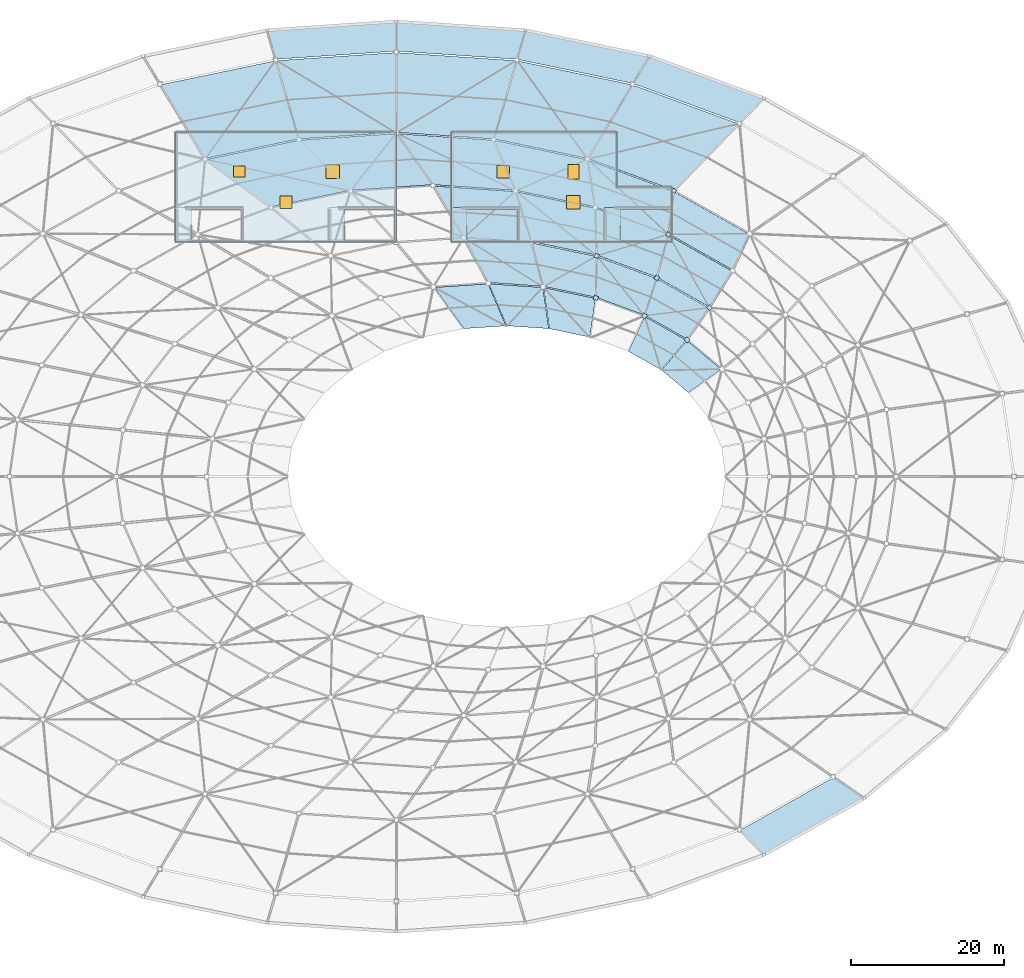
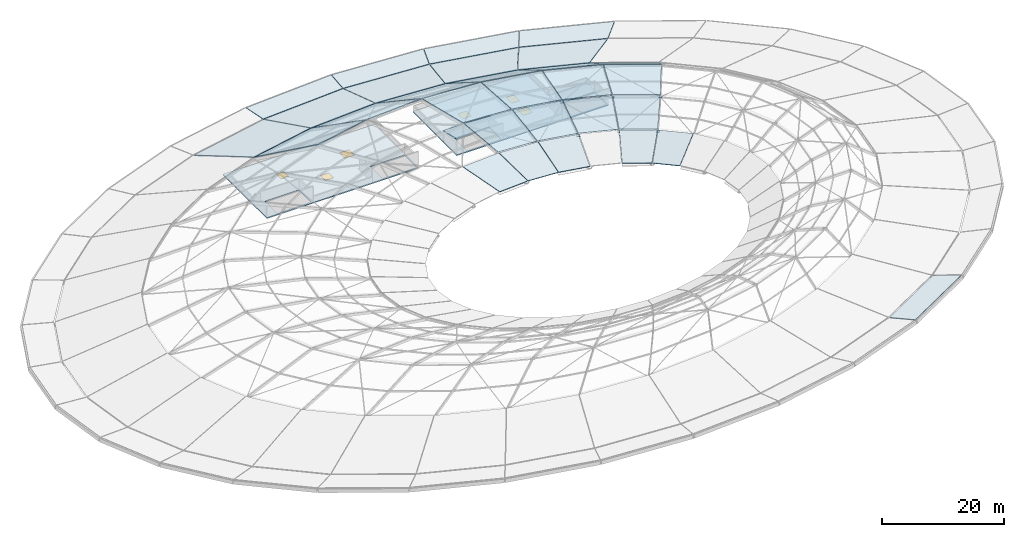
"""IFC4 building model written with IfcOpenShell, lengths in metres."""

from ifc_helpers import new_model, si_unit, direction, frame, origin, origin_2d, place, context, subcontext, project, spatial, polyline, rectangle, outline, extrude, material, layer, layer_set, type_object, element, fill, save


model = new_model("IFC4")

# Units and contexts
model_context = context("Model", 3, precision=1e-05, world=origin(), true_north=direction((0.0, 1.0)))
body_context = subcontext(model_context, "Body", "Model", "MODEL_VIEW")
ifc_project = project(units=[si_unit("LENGTHUNIT", "METRE"), si_unit("AREAUNIT", "SQUARE_METRE"), si_unit("VOLUMEUNIT", "CUBIC_METRE"), si_unit("PLANEANGLEUNIT", "RADIAN"), si_unit("MASSUNIT", "GRAM", prefix="KILO")], contexts=[model_context])

# Site, building, storey
site_placement = place(None, origin())
site = spatial("IfcSite", under=ifc_project, at=site_placement, CompositionType="ELEMENT")
building_placement = place(site_placement, origin())
building = spatial("IfcBuilding", under=site, at=building_placement, Name="Namkhue Oval Health Centre", CompositionType="ELEMENT")
storey_1_placement = place(building_placement, frame((0.0, 0.0, 26.39990234375)))
storey_1 = spatial("IfcBuildingStorey", under=building, at=storey_1_placement, Name="RF", CompositionType="ELEMENT", Elevation=26.39990234375)

# Slab, openings
ifc_material_1 = material(Name="Reinforced concrete C30/37 (TCVN B35)", Category="concrete")
ifc_layer_1 = layer(ifc_material_1, 0.22509765625)
ifc_layer_set_1 = layer_set([ifc_layer_1], Name="Reinforced concrete C30/37 (TCVN B35)")
slab_type_1 = type_object("IfcSlabType", Name="FLAT ROOF SLAB 225", PredefinedType="ROOF", material=ifc_layer_set_1)
slab_1_placement = place(storey_1_placement, frame((0.0, 0.0, -0.224853515625)))
slab_1 = element("IfcSlab", 1, at=slab_1_placement, inside=storey_1, type_object=slab_type_1, Name="Volume V2 RF Main Roof Slab", PredefinedType="ROOF", context=body_context, shape_type="SweptSolid", body=[
    extrude(outline(polyline([(57.60009765625, 90.0), (86.39990234375, 90.0), (86.39990234375, 104.39990234375), (57.60009765625, 104.39990234375), (57.60009765625, 90.0)]), holes=[polyline([(59.655029296875, 90.25), (66.14990234375, 90.25), (66.14990234375, 94.25), (59.655029296875, 94.25), (59.655029296875, 90.25)]), polyline([(79.655029296875, 90.25), (86.14990234375, 90.25), (86.14990234375, 94.25), (79.655029296875, 94.25), (79.655029296875, 90.25)])]), origin(), (0.0, 0.0, 1.0), 0.224853515625),
])
opening_1_placement = place(slab_1_placement, frame((65.89990234375, 99.199951171875, 0.0)))
opening_1 = element("IfcOpeningElement", 2, at=opening_1_placement, cuts=slab_1, Name="Opening SK-03", PredefinedType="OPENING", context=body_context, shape_type="SweptSolid", body=[
    extrude(rectangle(XDim=1.449951171875, YDim=1.449951171875, at=origin_2d()), frame((0.0, 0.0, -0.010009765625)), (0.0, 0.0, 1.0), 0.244873046875),
])
opening_2_placement = place(slab_1_placement, frame((72.0, 95.199951171875, 0.0)))
opening_2 = element("IfcOpeningElement", 3, at=opening_2_placement, cuts=slab_1, Name="Opening SK-04", PredefinedType="OPENING", context=body_context, shape_type="SweptSolid", body=[
    extrude(rectangle(XDim=1.60009765625, YDim=1.60009765625, at=origin_2d()), frame((0.0, 0.0, -0.010009765625)), (0.0, 0.0, 1.0), 0.244873046875),
])
opening_3_placement = place(slab_1_placement, frame((78.10009765625, 99.199951171875, 0.0)))
opening_3 = element("IfcOpeningElement", 4, at=opening_3_placement, cuts=slab_1, Name="Opening SK-05", PredefinedType="OPENING", context=body_context, shape_type="SweptSolid", body=[
    extrude(rectangle(XDim=1.75, YDim=1.75, at=origin_2d()), frame((0.0, 0.0, -0.010009765625)), (0.0, 0.0, 1.0), 0.244873046875),
])

# Storey
storey_2_placement = place(building_placement, frame((0.0, 0.0, 22.199951171875)))
storey_2 = spatial("IfcBuildingStorey", under=building, at=storey_2_placement, Name="L05", CompositionType="ELEMENT", Elevation=22.199951171875)

# Window
ifc_material_2 = material(Name="Laminated solar-control double-glazed skylight", Category="glass")
window_type_1 = type_object("IfcWindowType", Name="ROOF SKYLIGHT 1450X1450", PartitioningType="SINGLE_PANEL", PredefinedType="SKYLIGHT", material=ifc_material_2)
window_1_placement = place(opening_1_placement, frame((0.0, 0.0, 0.1748046875)))
window_1 = element("IfcWindow", 5, at=window_1_placement, inside=storey_2, type_object=window_type_1, Name="Volume V2 RF Roof Skylight 1", OverallHeight=1.449951171875, OverallWidth=1.449951171875, PartitioningType="SINGLE_PANEL", PredefinedType="SKYLIGHT", context=body_context, shape_type="SweptSolid", body=[
    extrude(rectangle(XDim=1.449951171875, YDim=1.449951171875, at=origin_2d()), origin(), (0.0, 0.0, 1.0), 0.050048828125),
])

fill(opening_1, window_1)

window_type_2 = type_object("IfcWindowType", Name="ROOF SKYLIGHT 1600X1600", PartitioningType="SINGLE_PANEL", PredefinedType="SKYLIGHT", material=ifc_material_2)
window_2_placement = place(opening_2_placement, frame((0.0, 0.0, 0.1748046875)))
window_2 = element("IfcWindow", 6, at=window_2_placement, inside=storey_2, type_object=window_type_2, Name="Volume V2 RF Roof Skylight 2", OverallHeight=1.60009765625, OverallWidth=1.60009765625, PartitioningType="SINGLE_PANEL", PredefinedType="SKYLIGHT", context=body_context, shape_type="SweptSolid", body=[
    extrude(rectangle(XDim=1.60009765625, YDim=1.60009765625, at=origin_2d()), origin(), (0.0, 0.0, 1.0), 0.050048828125),
])

fill(opening_2, window_2)

window_type_3 = type_object("IfcWindowType", Name="ROOF SKYLIGHT 1750X1750", PartitioningType="SINGLE_PANEL", PredefinedType="SKYLIGHT", material=ifc_material_2)
window_3_placement = place(opening_3_placement, frame((0.0, 0.0, 0.1748046875)))
window_3 = element("IfcWindow", 7, at=window_3_placement, inside=storey_2, type_object=window_type_3, Name="Volume V2 RF Roof Skylight 3", OverallHeight=1.75, OverallWidth=1.75, PartitioningType="SINGLE_PANEL", PredefinedType="SKYLIGHT", context=body_context, shape_type="SweptSolid", body=[
    extrude(rectangle(XDim=1.75, YDim=1.75, at=origin_2d()), origin(), (0.0, 0.0, 1.0), 0.050048828125),
])

fill(opening_3, window_3)

# Slab, openings, windows
ifc_layer_2 = layer(ifc_material_1, 0.22998046875)
ifc_layer_set_2 = layer_set([ifc_layer_2], Name="Reinforced concrete C30/37 (TCVN B35)")
slab_type_2 = type_object("IfcSlabType", Name="FLAT ROOF SLAB 230", PredefinedType="ROOF", material=ifc_layer_set_2)
slab_2_placement = place(storey_1_placement, frame((0.0, 0.0, -0.22998046875)))
slab_2 = element("IfcSlab", 8, at=slab_2_placement, inside=storey_1, type_object=slab_type_2, Name="Volume V3 RF Main Roof Slab", PredefinedType="ROOF", context=body_context, shape_type="SweptSolid", body=[
    extrude(outline(polyline([(93.60009765625, 90.0), (122.39990234375, 90.0), (122.39990234375, 97.199951171875), (115.199951171875, 97.199951171875), (115.199951171875, 104.39990234375), (93.60009765625, 104.39990234375), (93.60009765625, 90.0)]), holes=[polyline([(95.655029296875, 90.25), (102.14990234375, 90.25), (102.14990234375, 94.25), (95.655029296875, 94.25), (95.655029296875, 90.25)]), polyline([(115.655029296875, 90.25), (122.14990234375, 90.25), (122.14990234375, 94.25), (115.655029296875, 94.25), (115.655029296875, 90.25)])]), origin(), (0.0, 0.0, 1.0), 0.22998046875),
])
opening_4_placement = place(slab_2_placement, frame((100.3740234375, 99.199951171875, 0.0)))
opening_4 = element("IfcOpeningElement", 9, at=opening_4_placement, cuts=slab_2, Name="Opening SK-04", PredefinedType="OPENING", context=body_context, shape_type="SweptSolid", body=[
    extrude(rectangle(XDim=1.60009765625, YDim=1.60009765625, at=origin_2d()), frame((0.0, 0.0, -0.010009765625)), (0.0, 0.0, 1.0), 0.25),
])
opening_5_placement = place(slab_2_placement, frame((109.52197265625, 95.199951171875, 0.0)))
opening_5 = element("IfcOpeningElement", 10, at=opening_5_placement, cuts=slab_2, Name="Opening SK-05", PredefinedType="OPENING", context=body_context, shape_type="SweptSolid", body=[
    extrude(rectangle(XDim=1.75, YDim=1.75, at=origin_2d()), frame((0.0, 0.0, -0.010009765625)), (0.0, 0.0, 1.0), 0.25),
])
opening_6_placement = place(slab_2_placement, frame((109.52197265625, 99.199951171875, 0.0)))
opening_6 = element("IfcOpeningElement", 11, at=opening_6_placement, cuts=slab_2, Name="Opening SK-06", PredefinedType="OPENING", context=body_context, shape_type="SweptSolid", body=[
    extrude(rectangle(XDim=1.39990234375, YDim=1.89990234375, at=origin_2d()), frame((0.0, 0.0, -0.010009765625)), (0.0, 0.0, 1.0), 0.25),
])
window_type_4 = type_object("IfcWindowType", Name="ROOF SKYLIGHT 1400X1900", PartitioningType="SINGLE_PANEL", PredefinedType="SKYLIGHT", material=ifc_material_2)
window_4_placement = place(opening_6_placement, frame((0.0, 0.0, 0.179931640625)))
window_4 = element("IfcWindow", 12, at=window_4_placement, inside=storey_2, type_object=window_type_4, Name="Volume V3 RF Roof Skylight 3", OverallHeight=1.89990234375, OverallWidth=1.39990234375, PartitioningType="SINGLE_PANEL", PredefinedType="SKYLIGHT", context=body_context, shape_type="SweptSolid", body=[
    extrude(rectangle(XDim=1.39990234375, YDim=1.89990234375, at=origin_2d()), origin(), (0.0, 0.0, 1.0), 0.050048828125),
])
fill(opening_6, window_4)
window_5_placement = place(opening_4_placement, frame((0.0, 0.0, 0.179931640625)))
window_5 = element("IfcWindow", 13, at=window_5_placement, inside=storey_2, type_object=window_type_2, Name="Volume V3 RF Roof Skylight 1", OverallHeight=1.60009765625, OverallWidth=1.60009765625, PartitioningType="SINGLE_PANEL", PredefinedType="SKYLIGHT", context=body_context, shape_type="SweptSolid", body=[
    extrude(rectangle(XDim=1.60009765625, YDim=1.60009765625, at=origin_2d()), origin(), (0.0, 0.0, 1.0), 0.050048828125),
])
fill(opening_4, window_5)
window_6_placement = place(opening_5_placement, frame((0.0, 0.0, 0.179931640625)))
window_6 = element("IfcWindow", 14, at=window_6_placement, inside=storey_2, type_object=window_type_3, Name="Volume V3 RF Roof Skylight 2", OverallHeight=1.75, OverallWidth=1.75, PartitioningType="SINGLE_PANEL", PredefinedType="SKYLIGHT", context=body_context, shape_type="SweptSolid", body=[
    extrude(rectangle(XDim=1.75, YDim=1.75, at=origin_2d()), origin(), (0.0, 0.0, 1.0), 0.050048828125),
])
fill(opening_5, window_6)

# Plates
ifc_material_3 = material(Name="Structural steel EN 10025-2 S355JR (TCVN 5575:2024)", Category="steel")
ifc_layer_3 = layer(ifc_material_3, 0.02197265625)
ifc_layer_set_3 = layer_set([ifc_layer_3], Name="Structural steel EN 10025-2 S355JR (TCVN 5575:2024)")
plate_type_1 = type_object("IfcPlateType", Name="GRIDSHELL GUSSET PLATE 520X520X22", PredefinedType="USERDEFINED", material=ifc_layer_set_3)
plate_1_placement = place(storey_1_placement, frame((122.640869140625, 96.68896484375, 3.80908203125), z_axis=(0.0, 0.0, 1.0), x_axis=(0.55557023302, 0.831469612303, 0.0)))
element("IfcPlate", 15, at=plate_1_placement, inside=storey_1, type_object=plate_type_1, Name="Gridshell Node Gusset Plate K2-6", ObjectType="GUSSET_PLATE", PredefinedType="USERDEFINED", context=body_context, shape_type="SweptSolid", body=[
    extrude(rectangle(XDim=0.52001953125, YDim=0.52001953125, at=origin_2d()), origin(), (0.0, 0.0, 1.0), 0.02197265625),
])
ifc_layer_4 = layer(ifc_material_3, 0.02197265625)
ifc_layer_set_4 = layer_set([ifc_layer_4], Name="Structural steel EN 10025-2 S355JR (TCVN 5575:2024)")
plate_type_2 = type_object("IfcPlateType", Name="GRIDSHELL GUSSET PLATE 540X540X22", PredefinedType="USERDEFINED", material=ifc_layer_set_4)
plate_2_placement = place(storey_1_placement, frame((121.9208984375, 91.009033203125, 7.209228515625), z_axis=(0.0, 0.0, 1.0), x_axis=(0.55557023302, 0.831469612303, 0.0)))
element("IfcPlate", 16, at=plate_2_placement, inside=storey_1, type_object=plate_type_2, Name="Gridshell Node Gusset Plate K3-6", ObjectType="GUSSET_PLATE", PredefinedType="USERDEFINED", context=body_context, shape_type="SweptSolid", body=[
    extrude(rectangle(XDim=0.5400390625, YDim=0.5400390625, at=origin_2d()), origin(), (0.0, 0.0, 1.0), 0.02197265625),
])
ifc_layer_5 = layer(ifc_material_3, 0.02392578125)
ifc_layer_set_5 = layer_set([ifc_layer_5], Name="Structural steel EN 10025-2 S355JR (TCVN 5575:2024)")
plate_type_3 = type_object("IfcPlateType", Name="GRIDSHELL GUSSET PLATE 560X560X24", PredefinedType="USERDEFINED", material=ifc_layer_set_5)
for number, where, z_axis, x_axis, name in (
    (17, (127.2744140625, 81.451171875, 5.008056640625), (0.0, 0.0, 1.0), (0.707106781187, 0.707106781187, 0.0), "Gridshell Node Gusset Plate K4-5"),
    (18, (120.400634765625, 85.329345703125, 5.008056640625), (0.0, 0.0, 1.0), (0.55557023302, 0.831469612303, 0.0), "Gridshell Node Gusset Plate K4-6"),
    (19, (112.55859375, 88.211181640625, 5.008056640625), (0.0, 0.0, 1.0), (0.382683432365, 0.923879532511, 0.0), "Gridshell Node Gusset Plate K4-7"),
):
    element("IfcPlate", number, at=place(storey_1_placement, frame(where, z_axis=z_axis, x_axis=x_axis)), inside=storey_1, type_object=plate_type_3, Name=name, ObjectType="GUSSET_PLATE", PredefinedType="USERDEFINED", context=body_context, shape_type="SweptSolid", body=[
        extrude(rectangle(XDim=0.56005859375, YDim=0.56005859375, at=origin_2d()), origin(), (0.0, 0.0, 1.0), 0.02392578125),
    ])
ifc_layer_6 = layer(ifc_material_3, 0.02392578125)
ifc_layer_set_6 = layer_set([ifc_layer_6], Name="Structural steel EN 10025-2 S355JR (TCVN 5575:2024)")
plate_type_4 = type_object("IfcPlateType", Name="GRIDSHELL GUSSET PLATE 580X580X24", PredefinedType="USERDEFINED", material=ifc_layer_set_6)
for number, where, z_axis, x_axis, name in (
    (20, (124.364990234375, 77.2509765625, 1.608154296875), (0.0, 0.0, 1.0), (0.707106781187, 0.707106781187, 0.0), "Gridshell Node Gusset Plate K5-5"),
    (21, (118.800537109375, 80.390380859375, 1.608154296875), (0.0, 0.0, 1.0), (0.55557023302, 0.831469612303, 0.0), "Gridshell Node Gusset Plate K5-6"),
    (22, (112.4521484375, 82.723388671875, 1.608154296875), (0.0, 0.0, 1.0), (0.382683432365, 0.923879532511, 0.0), "Gridshell Node Gusset Plate K5-7"),
):
    element("IfcPlate", number, at=place(storey_1_placement, frame(where, z_axis=z_axis, x_axis=x_axis)), inside=storey_1, type_object=plate_type_4, Name=name, ObjectType="GUSSET_PLATE", PredefinedType="USERDEFINED", context=body_context, shape_type="SweptSolid", body=[
        extrude(rectangle(XDim=0.580078125, YDim=0.580078125, at=origin_2d()), origin(), (0.0, 0.0, 1.0), 0.02392578125),
    ])

# Slabs
ifc_layer_7 = layer(ifc_material_1, 0.159912109375)
ifc_layer_set_7 = layer_set([ifc_layer_7], Name="Reinforced concrete C30/37 (TCVN B35)")
slab_type_3 = type_object("IfcSlabType", Name="GRIDSHELL ROOF PANEL 160", PredefinedType="ROOF", material=ifc_layer_set_7)
slab_3_placement = place(storey_1_placement, frame((134.289794921875, 108.73486328125, 1.093505859375), z_axis=(-0.032737529904, -0.089086259011, 0.995485757101), x_axis=(-0.938632372636, 0.344919221033, -9.46579e-07)))
element("IfcSlab", 23, at=slab_3_placement, inside=storey_1, type_object=slab_type_3, Name="Gridshell Planar Roof Panel K0-6", PredefinedType="ROOF", context=body_context, shape_type="SweptSolid", body=[
    extrude(outline(polyline([(0.0, 0.0), (15.80278685563517, -8.881784197001252e-16), (16.575198042851994, 4.033216473326345), (1.7882588948533538, 4.033521554586905), (0.0, 0.0)])), origin(), (0.0, 0.0, -1.0), 0.159912109375),
])
slab_4_placement = place(storey_1_placement, frame((119.371337890625, 114.206298828125, 1.09326171875), z_axis=(-0.020162579076, -0.096679350829, 0.995111337252), x_axis=(-0.97893925893, 0.204151726234, -6.87216e-07)))
element("IfcSlab", 24, at=slab_4_placement, inside=storey_1, type_object=slab_type_3, Name="Gridshell Planar Roof Panel K0-7", PredefinedType="ROOF", context=body_context, shape_type="SweptSolid", body=[
    extrude(outline(polyline([(0.0, 0.0), (16.44572414326599, 0.0), (16.739197177073102, 3.871151208074418), (1.3481097029547753, 3.87137274388681), (0.0, 0.0)])), origin(), (0.0, 0.0, -1.0), 0.159912109375),
])
slab_5_placement = place(storey_1_placement, frame((103.1875, 117.573486328125, 1.093017578125), z_axis=(-0.006804900221, -0.100488821262, 0.994914916028), x_axis=(-0.997714776227, 0.067566450978, 3.25168e-07)))
element("IfcSlab", 25, at=slab_5_placement, inside=storey_1, type_object=slab_type_3, Name="Gridshell Planar Roof Panel K0-8", PredefinedType="ROOF", context=body_context, shape_type="SweptSolid", body=[
    extrude(outline(polyline([(0.0, 0.0), (16.78396061186959, 0.0), (16.528524332096065, 3.7911560438240985), (0.819781866987667, 3.7910511423014657), (0.0, 0.0)])), origin(), (0.0, 0.0, -1.0), 0.159912109375),
])
slab_6_placement = place(storey_1_placement, frame((86.35791015625, 118.70751953125, 1.093017578125), z_axis=(0.006805001738, -0.100488806798, 0.994914916794), x_axis=(-0.997714709797, -0.067567431901, -3.21913e-07)))
element("IfcSlab", 26, at=slab_6_placement, inside=storey_1, type_object=slab_type_3, Name="Gridshell Planar Roof Panel K0-9", PredefinedType="ROOF", context=body_context, shape_type="SweptSolid", body=[
    extrude(outline(polyline([(0.0, 0.0), (16.783717029169217, 2.220446049250313e-16), (15.963938869234498, 3.7910519439176356), (0.25543998692965253, 3.7911557940457308), (0.0, 0.0)])), origin(), (0.0, 0.0, -1.0), 0.159912109375),
])
slab_7_placement = place(storey_1_placement, frame((134.37451171875, 10.098388671875, 1.093994140625), z_axis=(-0.044082287911, 0.078130329397, 0.995968073545), x_axis=(0.870932540998, 0.491402593634, -7.5051e-07)))
element("IfcSlab", 27, at=slab_7_placement, inside=storey_1, type_object=slab_type_3, Name="Gridshell Planar Roof Panel K0-28", PredefinedType="ROOF", context=body_context, shape_type="SweptSolid", body=[
    extrude(outline(polyline([(0.0, 0.0), (14.922605270966258, -8.881784197001252e-16), (12.839016178315983, 4.2780769677775), (-1.1216710330718682, 4.27831860840635), (0.0, 0.0)])), origin(), (0.0, 0.0, -1.0), 0.159912109375),
])
ifc_layer_8 = layer(ifc_material_1, 0.1650390625)
ifc_layer_set_8 = layer_set([ifc_layer_8], Name="Reinforced concrete C30/37 (TCVN B35)")
slab_type_4 = type_object("IfcSlabType", Name="GRIDSHELL ROOF PANEL 165", PredefinedType="ROOF", material=ifc_layer_set_8)
slab_8_placement = place(storey_1_placement, frame((131.0927734375, 105.445068359375, 0.73388671875), z_axis=(0.102714186374, 0.279510060392, 0.954632872919), x_axis=(-0.938629998864, 0.344925680737, 4.38688e-07)))
element("IfcSlab", 28, at=slab_8_placement, inside=storey_1, type_object=slab_type_4, Name="Gridshell Planar Roof Panel K1-6", PredefinedType="ROOF", context=body_context, shape_type="SweptSolid", body=[
    extrude(outline(polyline([(0.0, 0.0), (14.742906242601615, 0.0), (16.868784747348503, 11.573042045665932), (4.9204115358375375, 11.573081366463834), (0.0, 0.0)])), origin(), (0.0, 0.0, -1.0), 0.1650390625),
])
slab_9_placement = place(storey_1_placement, frame((117.16943359375, 110.55126953125, 0.73486328125), z_axis=(0.063020948362, 0.302186410439, 0.951163357901), x_axis=(-0.978939238781, 0.204151822846, 1.863703e-06)))
element("IfcSlab", 29, at=slab_9_placement, inside=storey_1, type_object=slab_type_4, Name="Gridshell Planar Roof Panel K1-7", PredefinedType="ROOF", context=body_context, shape_type="SweptSolid", body=[
    extrude(outline(polyline([(0.0, 0.0), (15.343156185400561, 4.440892098500626e-16), (16.151788719691453, 11.15788790667842), (3.7142736106411633, 11.158055632461412), (0.0, 0.0)])), origin(), (0.0, 0.0, -1.0), 0.1650390625),
])
slab_10_placement = place(storey_1_placement, frame((102.06494140625, 113.693603515625, 0.7353515625), z_axis=(0.021238444788, 0.313652795829, 0.949300190736), x_axis=(-0.997715412288, 0.067557057976, 4.88345e-07)))
element("IfcSlab", 30, at=slab_10_placement, inside=storey_1, type_object=slab_type_4, Name="Gridshell Planar Roof Panel K1-8", PredefinedType="ROOF", context=body_context, shape_type="SweptSolid", body=[
    extrude(outline(polyline([(0.0, 0.0), (15.658820653163021, 0.0), (14.954767614543213, 10.953146711024324), (2.2599908033204117, 10.953190755627272), (0.0, 0.0)])), origin(), (0.0, 0.0, -1.0), 0.1650390625),
])
slab_11_placement = place(storey_1_placement, frame((86.35791015625, 114.75146484375, 0.7353515625), z_axis=(-0.021238808043, 0.313652746515, 0.949300198903), x_axis=(-0.997715340394, -0.067558119743, -5.21215e-07)))
element("IfcSlab", 31, at=slab_11_placement, inside=storey_1, type_object=slab_type_4, Name="Gridshell Planar Roof Panel K1-9", PredefinedType="ROOF", context=body_context, shape_type="SweptSolid", body=[
    extrude(outline(polyline([(0.0, 0.0), (15.658577070304423, 2.220446049250313e-16), (13.398597219195707, 10.953193015409944), (0.7040639907798898, 10.953146007028797), (0.0, 0.0)])), origin(), (0.0, 0.0, -1.0), 0.1650390625),
])
slab_12_placement = place(storey_1_placement, frame((70.650634765625, 113.68359375, 0.73486328125), z_axis=(-0.063020948362, 0.302186410439, 0.951163357901), x_axis=(-0.978939238781, -0.204151822846, -1.863703e-06)))
element("IfcSlab", 32, at=slab_12_placement, inside=storey_1, type_object=slab_type_4, Name="Gridshell Planar Roof Panel K1-10", PredefinedType="ROOF", context=body_context, shape_type="SweptSolid", body=[
    extrude(outline(polyline([(0.0, 0.0), (15.343156185400561, -4.440892098500626e-16), (11.628882574759398, 11.158055632461412), (-0.8086325342908919, 11.157887906678418), (0.0, 0.0)])), origin(), (0.0, 0.0, -1.0), 0.1650390625),
])
ifc_layer_9 = layer(ifc_material_1, 0.169921875)
ifc_layer_set_9 = layer_set([ifc_layer_9], Name="Reinforced concrete C30/37 (TCVN B35)")
slab_type_5 = type_object("IfcSlabType", Name="GRIDSHELL ROOF PANEL 170", PredefinedType="ROOF", material=ifc_layer_set_9)
slab_13_placement = place(storey_1_placement, frame((132.45751953125, 91.063232421875, 4.2607421875), z_axis=(0.265310414489, 0.470222179844, 0.841725302903), x_axis=(-0.870932391499, 0.491402858595, -1.294447e-06)))
element("IfcSlab", 33, at=slab_13_placement, inside=storey_1, type_object=slab_type_5, Name="Gridshell Planar Roof Panel K2-5", PredefinedType="ROOF", context=body_context, shape_type="SweptSolid", body=[
    extrude(outline(polyline([(0.0, 0.0), (11.238634156316959, 8.881784197001252e-16), (9.136793707431496, 6.117261258411062), (-0.42268354284715115, 6.117211394065264), (0.0, 0.0)])), origin(), (0.0, 0.0, -1.0), 0.169921875),
])
slab_14_placement = place(storey_1_placement, frame((122.5908203125, 96.62548828125, 4.259033203125), z_axis=(0.179477001929, 0.488404502807, 0.853960799695), x_axis=(-0.938631159134, 0.344922523331, 1.162634e-06)))
element("IfcSlab", 34, at=slab_14_placement, inside=storey_1, type_object=slab_type_5, Name="Gridshell Planar Roof Panel K2-6", PredefinedType="ROOF", context=body_context, shape_type="SweptSolid", body=[
    extrude(outline(polyline([(0.0, 0.0), (11.900481886872914, 8.881784197001252e-16), (8.872950911897238, 6.353843443368844), (-1.2479290183227527, 6.353892647590324), (0.0, 0.0)])), origin(), (0.0, 0.0, -1.0), 0.169921875),
])
slab_15_placement = place(storey_1_placement, frame((111.3330078125, 100.759521484375, 4.256591796875), z_axis=(0.100983987309, 0.484195001107, 0.869113016362), x_axis=(-0.978935455654, 0.204169962683, -1.460888e-06)))
element("IfcSlab", 35, at=slab_15_placement, inside=storey_1, type_object=slab_type_5, Name="Gridshell Planar Roof Panel K2-7", PredefinedType="ROOF", context=body_context, shape_type="SweptSolid", body=[
    extrude(outline(polyline([(0.0, 0.0), (12.382164648762764, 0.0), (8.322148245901477, 6.694210677373977), (-2.205755483694665, 6.694143010327258), (0.0, 0.0)])), origin(), (0.0, 0.0, -1.0), 0.169921875),
])
slab_16_placement = place(storey_1_placement, frame((99.115234375, 103.30615234375, 4.25390625), z_axis=(0.031343611739, 0.462922899035, 0.885844211785), x_axis=(-0.997715353297, 0.067557929143, -2.381628e-06)))
element("IfcSlab", 36, at=slab_16_placement, inside=storey_1, type_object=slab_type_5, Name="Gridshell Planar Roof Panel K2-8", PredefinedType="ROOF", context=body_context, shape_type="SweptSolid", body=[
    extrude(outline(polyline([(0.0, 0.0), (12.633600706944938, -1.1102230246251565e-16), (7.51200013134159, 7.147730883479876), (-3.2263922445281277, 7.14761091480539), (0.0, 0.0)])), origin(), (0.0, 0.0, -1.0), 0.169921875),
])
slab_17_placement = place(storey_1_placement, frame((86.40673828125, 104.166015625, 4.250732421875), z_axis=(-0.029045525112, 0.4289797176, 0.902847029878), x_axis=(-0.997715823967, -0.067550977811, -1.30768e-06)))
element("IfcSlab", 37, at=slab_17_placement, inside=storey_1, type_object=slab_type_5, Name="Gridshell Planar Roof Panel K2-9", PredefinedType="ROOF", context=body_context, shape_type="SweptSolid", body=[
    extrude(outline(polyline([(0.0, 0.0), (12.631635550896899, 0.0), (6.503748687017122, 7.728039076135589), (-4.229268372299139, 7.7279680152301005), (0.0, 0.0)])), origin(), (0.0, 0.0, -1.0), 0.169921875),
])
slab_18_placement = place(storey_1_placement, frame((73.696044921875, 103.305419921875, 4.24755859375), z_axis=(-0.080413204078, 0.385580914451, 0.91916324721), x_axis=(-0.978937756153, -0.204158932154, 2.89598e-07)))
element("IfcSlab", 38, at=slab_18_placement, inside=storey_1, type_object=slab_type_5, Name="Gridshell Planar Roof Panel K2-10", PredefinedType="ROOF", context=body_context, shape_type="SweptSolid", body=[
    extrude(outline(polyline([(0.0, 0.0), (12.376896462438847, 0.0), (5.393038575096859, 8.452135522959173), (-5.119638282246544, 8.452152352532647), (0.0, 0.0)])), origin(), (0.0, 0.0, -1.0), 0.169921875),
])
ifc_layer_10 = layer(ifc_material_1, 0.175048828125)
ifc_layer_set_10 = layer_set([ifc_layer_10], Name="Reinforced concrete C30/37 (TCVN B35)")
slab_type_6 = type_object("IfcSlabType", Name="GRIDSHELL ROOF PANEL 175", PredefinedType="ROOF", material=ifc_layer_set_10)
slab_19_placement = place(storey_1_placement, frame((130.218994140625, 86.230712890625, 7.584716796875), z_axis=(-0.177120247478, -0.313918087292, 0.932782853833), x_axis=(-0.87092771397, 0.491411148655, 4.19779e-06)))
element("IfcSlab", 39, at=slab_19_placement, inside=storey_1, type_object=slab_type_6, Name="Gridshell Planar Roof Panel K3-5", PredefinedType="ROOF", context=body_context, shape_type="SweptSolid", body=[
    extrude(outline(polyline([(0.0, 0.0), (9.51050980726129, -4.440892098500626e-16), (8.086536940117751, 5.924133848578663), (0.2538809483504548, 5.923931864339726), (0.0, 0.0)])), origin(), (0.0, 0.0, -1.0), 0.175048828125),
])
slab_20_placement = place(storey_1_placement, frame((121.859375, 90.94189453125, 7.58544921875), z_axis=(-0.121321447854, -0.330128615089, 0.93610694036), x_axis=(-0.938625647464, 0.344937521762, -1.790598e-06)))
element("IfcSlab", 40, at=slab_20_placement, inside=storey_1, type_object=slab_type_6, Name="Gridshell Planar Roof Panel K3-6", PredefinedType="ROOF", context=body_context, shape_type="SweptSolid", body=[
    extrude(outline(polyline([(0.0, 0.0), (10.071758607368126, 4.440892098500626e-16), (7.777157988571256, 6.075094205474903), (-0.5170845563177824, 6.075187707548725), (0.0, 0.0)])), origin(), (0.0, 0.0, -1.0), 0.175048828125),
])
slab_21_placement = place(storey_1_placement, frame((112.321533203125, 94.44384765625, 7.586669921875), z_axis=(-0.068884426187, -0.330295197795, 0.941360726896), x_axis=(-0.978935809283, 0.204168267118, 2.5141e-06)))
element("IfcSlab", 41, at=slab_21_placement, inside=storey_1, type_object=slab_type_6, Name="Gridshell Planar Roof Panel K3-7", PredefinedType="ROOF", context=body_context, shape_type="SweptSolid", body=[
    extrude(outline(polyline([(0.0, 0.0), (10.479783284883998, 2.220446049250313e-16), (7.187230998112343, 6.340150402116963), (-1.4410200372893431, 6.340008021388163), (0.0, 0.0)])), origin(), (0.0, 0.0, -1.0), 0.175048828125),
])
slab_22_placement = place(storey_1_placement, frame((101.969970703125, 96.601318359375, 7.58837890625), z_axis=(-0.021520228947, -0.317871299406, 0.947889612117), x_axis=(-0.997716498191, 0.067541018895, -1.831464e-06)))
element("IfcSlab", 42, at=slab_22_placement, inside=storey_1, type_object=slab_type_6, Name="Gridshell Planar Roof Panel K3-8", PredefinedType="ROOF", context=body_context, shape_type="SweptSolid", body=[
    extrude(outline(polyline([(0.0, 0.0), (10.692384384487788, -1.1102230246251565e-16), (6.3561932581222935, 6.724964301260945), (-2.4439387744621657, 6.725076353892924), (0.0, 0.0)])), origin(), (0.0, 0.0, -1.0), 0.175048828125),
])
ifc_layer_11 = layer(ifc_material_1, 0.179931640625)
ifc_layer_set_11 = layer_set([ifc_layer_11], Name="Reinforced concrete C30/37 (TCVN B35)")
slab_type_7 = type_object("IfcSlabType", Name="GRIDSHELL ROOF PANEL 180", PredefinedType="ROOF", material=ifc_layer_set_11)
slab_23_placement = place(storey_1_placement, frame((127.19482421875, 81.41015625, 5.3720703125), z_axis=(-0.273026287692, -0.483916817765, 0.831433196182), x_axis=(-0.870937659102, 0.491393522471, 5.669474e-06)))
element("IfcSlab", 43, at=slab_23_placement, inside=storey_1, type_object=slab_type_7, Name="Gridshell Planar Roof Panel K4-5", PredefinedType="ROOF", context=body_context, shape_type="SweptSolid", body=[
    extrude(outline(polyline([(0.0, 0.0), (7.785324243981862, 0.0), (6.782471934220426, 5.939417568678019), (0.45603010075177747, 5.9392735752870145), (0.0, 0.0)])), origin(), (0.0, 0.0, -1.0), 0.179931640625),
])
slab_24_placement = place(storey_1_placement, frame((120.337890625, 85.272216796875, 5.372802734375), z_axis=(-0.189065933448, -0.514507881399, 0.836382515831), x_axis=(-0.938631755363, 0.344920900821, 1.474134e-06)))
element("IfcSlab", 44, at=slab_24_placement, inside=storey_1, type_object=slab_type_7, Name="Gridshell Planar Roof Panel K4-6", PredefinedType="ROOF", context=body_context, shape_type="SweptSolid", body=[
    extrude(outline(polyline([(0.0, 0.0), (8.246037850297384, 4.440892098500626e-16), (6.5050167853470775, 6.022624898642333), (-0.19599300016887042, 6.022584701418643), (0.0, 0.0)])), origin(), (0.0, 0.0, -1.0), 0.179931640625),
])
slab_25_placement = place(storey_1_placement, frame((112.515380859375, 88.142333984375, 5.3740234375), z_axis=(-0.108866426278, -0.522008068736, 0.845964347596), x_axis=(-0.978936163597, 0.204166568238, 3.917779e-06)))
element("IfcSlab", 45, at=slab_25_placement, inside=storey_1, type_object=slab_type_7, Name="Gridshell Planar Roof Panel K4-7", PredefinedType="ROOF", context=body_context, shape_type="SweptSolid", body=[
    extrude(outline(polyline([(0.0, 0.0), (8.580897430314367, 0.0), (5.984340114803599, 6.196050304180177), (-0.9876888115521681, 6.1959360348359125), (0.0, 0.0)])), origin(), (0.0, 0.0, -1.0), 0.179931640625),
])
slab_26_placement = place(storey_1_placement, frame((104.026123046875, 89.909912109375, 5.3759765625), z_axis=(-0.034557612622, -0.510421448754, 0.85922972252), x_axis=(-0.997716461356, 0.067541562885, -4.697928e-06)))
element("IfcSlab", 46, at=slab_26_placement, inside=storey_1, type_object=slab_type_7, Name="Gridshell Planar Roof Panel K4-8", PredefinedType="ROOF", context=body_context, shape_type="SweptSolid", body=[
    extrude(outline(polyline([(0.0, 0.0), (8.755098373087925, -1.1102230246251565e-16), (5.2586157075549185, 6.465796639373167), (-1.8528485492051618, 6.465942341946667), (0.0, 0.0)])), origin(), (0.0, 0.0, -1.0), 0.179931640625),
])
ifc_layer_12 = layer(ifc_material_1, 0.18505859375)
ifc_layer_set_12 = layer_set([ifc_layer_12], Name="Reinforced concrete C30/37 (TCVN B35)")
slab_type_8 = type_object("IfcSlabType", Name="GRIDSHELL ROOF PANEL 185", PredefinedType="ROOF", material=ifc_layer_set_12)
slab_27_placement = place(storey_1_placement, frame((128.833740234375, 73.406982421875, 1.980224609375), z_axis=(-0.334473177388, -0.39925522215, 0.853652716972), x_axis=(-0.766559330001, 0.642173491807, -2.828587e-06)))
element("IfcSlab", 47, at=slab_27_placement, inside=storey_1, type_object=slab_type_8, Name="Gridshell Planar Roof Panel K5-4", PredefinedType="ROOF", context=body_context, shape_type="SweptSolid", body=[
    extrude(outline(polyline([(0.0, 0.0), (5.852861746534911, 0.0), (5.898410455720819, 5.963767836173913), (1.3382377210560341, 5.963824387183981), (0.0, 0.0)])), origin(), (0.0, 0.0, -1.0), 0.18505859375),
])
slab_28_placement = place(storey_1_placement, frame((124.27734375, 77.212646484375, 1.9794921875), z_axis=(-0.259426949455, -0.459795764264, 0.849285295447), x_axis=(-0.870939596554, 0.491390088526, -7.207693e-06)))
element("IfcSlab", 48, at=slab_28_placement, inside=storey_1, type_object=slab_type_8, Name="Gridshell Planar Roof Panel K5-5", PredefinedType="ROOF", context=body_context, shape_type="SweptSolid", body=[
    extrude(outline(polyline([(0.0, 0.0), (6.283046673992098, 0.0), (5.871463940375432, 5.88129795506272), (0.9739275184778707, 5.881450599490744), (0.0, 0.0)])), origin(), (0.0, 0.0, -1.0), 0.18505859375),
])
slab_29_placement = place(storey_1_placement, frame((112.400146484375, 82.65576171875, 1.980224609375), z_axis=(-0.106174494893, -0.509120555444, 0.85412132432), x_axis=(-0.978938842074, 0.204153725114, 6.09793e-07)))
element("IfcSlab", 49, at=slab_29_placement, inside=storey_1, type_object=slab_type_8, Name="Gridshell Planar Roof Panel K5-7", PredefinedType="ROOF", context=body_context, shape_type="SweptSolid", body=[
    extrude(outline(polyline([(0.0, 0.0), (6.927642989434663, 0.0), (5.071703402180563, 5.972622021561521), (-0.3289017852542677, 5.972607566547071), (0.0, 0.0)])), origin(), (0.0, 0.0, -1.0), 0.18505859375),
])
slab_30_placement = place(storey_1_placement, frame((105.532470703125, 84.084228515625, 1.981689453125), z_axis=(-0.034127282702, -0.503938691591, 0.863064959139), x_axis=(-0.99771535085, 0.067557965136, -4.914203e-06)))
element("IfcSlab", 50, at=slab_30_placement, inside=storey_1, type_object=slab_type_8, Name="Gridshell Planar Roof Panel K5-8", PredefinedType="ROOF", context=body_context, shape_type="SweptSolid", body=[
    extrude(outline(polyline([(0.0, 0.0), (7.068882918743244, 5.551115123125783e-17), (4.371797061318836, 6.155519390485666), (-1.1373800153116012, 6.1556417662729), (0.0, 0.0)])), origin(), (0.0, 0.0, -1.0), 0.18505859375),
])
slab_31_placement = place(storey_1_placement, frame((98.388916015625, 84.565185546875, 1.983642578125), z_axis=(0.032661854218, -0.482480760248, 0.875297389046), x_axis=(-0.997716463881, -0.067541525756, -2.47917e-07)))
element("IfcSlab", 51, at=slab_31_placement, inside=storey_1, type_object=slab_type_8, Name="Gridshell Planar Roof Panel K5-9", PredefinedType="ROOF", context=body_context, shape_type="SweptSolid", body=[
    extrude(outline(polyline([(0.0, 0.0), (7.066674180483889, -5.551115123125783e-17), (3.546631487262027, 6.437412327466541), (-1.9586152774140098, 6.437418772644493), (0.0, 0.0)])), origin(), (0.0, 0.0, -1.0), 0.18505859375),
])
ifc_layer_13 = layer(ifc_material_1, 0.2099609375)
ifc_layer_set_13 = layer_set([ifc_layer_13], Name="Reinforced concrete C30/37 (TCVN B35)")
slab_type_9 = type_object("IfcSlabType", Name="PENTHOUSE ROOF SLAB 210", PredefinedType="ROOF", material=ifc_layer_set_13)
for number, where, z_axis, x_axis, name in (
    (52, (93.60009765625, 90.0, 3.2001953125), (0.0, 0.227239636822, 0.973838871404), (1.0, 0.0, 0.0), "Core SC-05 Roof Stair Head-House Roof Slab"),
    (53, (113.60009765625, 90.0, 3.2001953125), (0.0, 0.227239636822, 0.973838871404), (1.0, 0.0, 0.0), "Core SC-06 Roof Stair Head-House Roof Slab"),
):
    element("IfcSlab", number, at=place(storey_1_placement, frame(where, z_axis=z_axis, x_axis=x_axis)), inside=storey_1, type_object=slab_type_9, Name=name, PredefinedType="ROOF", context=body_context, shape_type="SweptSolid", body=[
        extrude(outline(polyline([(0.0, 0.0), (8.7998046875, 0.0), (8.7998046875, 4.620887635665543), (0.0, 4.620887635665543), (0.0, 0.0)])), origin(), (0.0, 0.0, -1.0), 0.2099609375),
    ])

save(model, "model.ifc")
